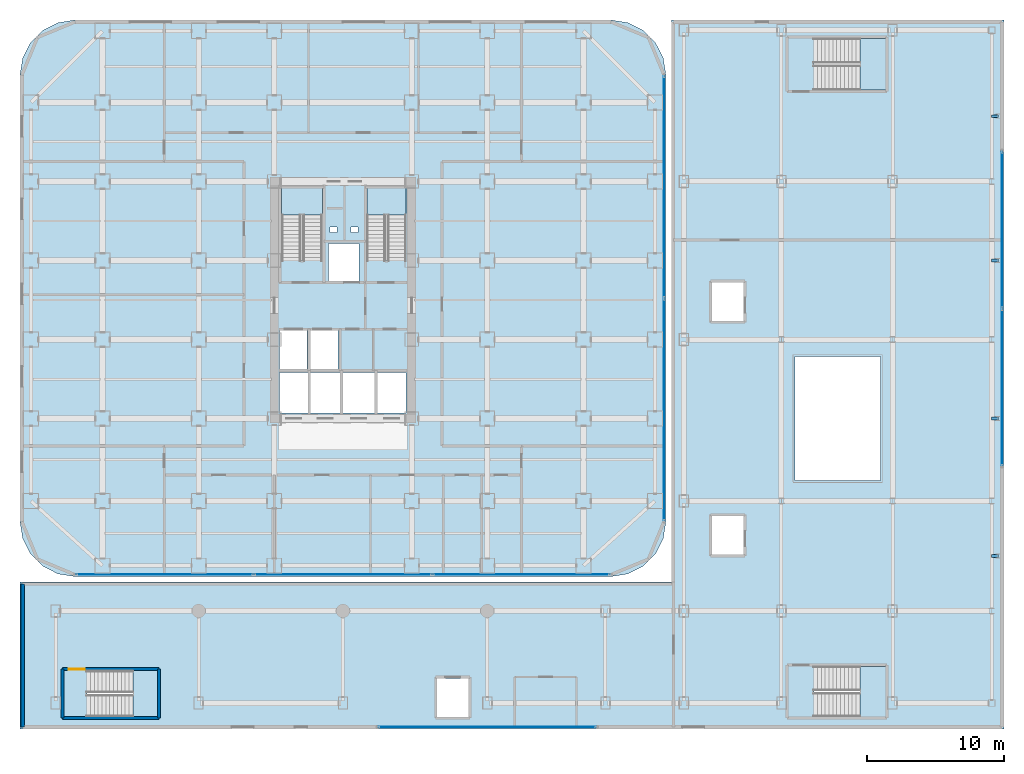
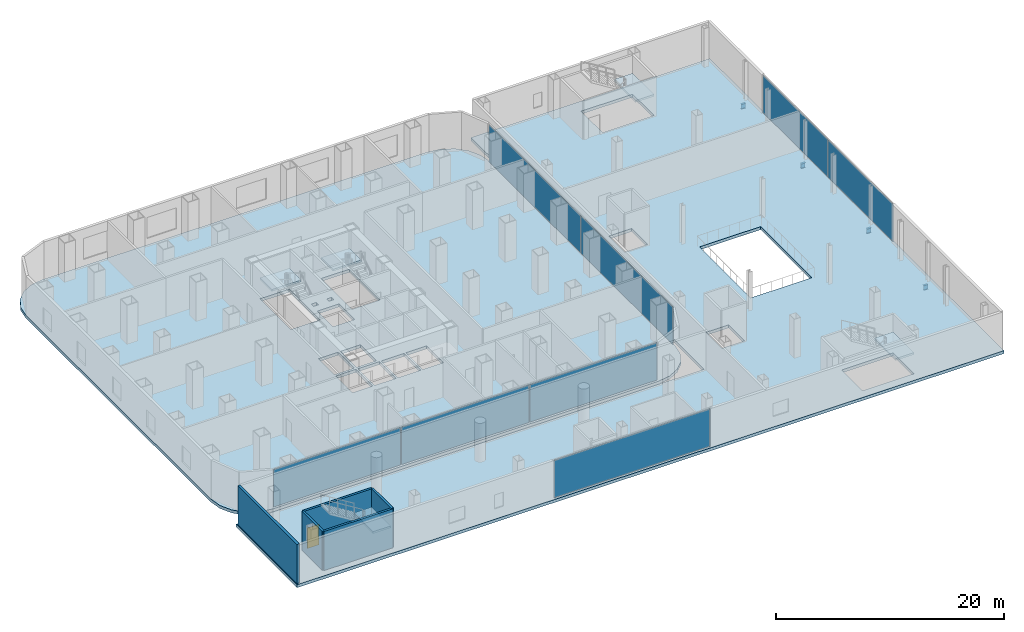
# One storey, part 18 of 27: 8 plates, 7 slabs, 5 walls, 4 beams, 1 door, 1 opening, 9 elements without a shape of their own.
"""IFC4 building model written with IfcOpenShell, lengths in metres."""

from ifc_helpers import new_model, si_unit, direction, frame, frame_2d, origin, origin_2d, place, context, subcontext, project, spatial, polyline, rectangle, i_section, outline, extrude, source, transform, mapped, material, layer, layer_set, material_profile, profile_set, type_object, element, fill, aggregate, save


model = new_model("IFC4")

# Units and contexts
model_context = context("Model", 3, precision=1e-05, world=origin(), true_north=direction((0.0, 1.0)))
body_context = subcontext(model_context, "Body", "Model", "MODEL_VIEW")
ifc_project = project(units=[si_unit("LENGTHUNIT", "METRE"), si_unit("AREAUNIT", "SQUARE_METRE"), si_unit("VOLUMEUNIT", "CUBIC_METRE"), si_unit("PLANEANGLEUNIT", "RADIAN"), si_unit("MASSUNIT", "GRAM", prefix="KILO")], contexts=[model_context])

# Site, building, storey
site_placement = place(None, origin())
site = spatial("IfcSite", under=ifc_project, at=site_placement, CompositionType="ELEMENT")
building_placement = place(site_placement, origin())
building = spatial("IfcBuilding", under=site, at=building_placement, Name="Kolveth Station Tower", CompositionType="ELEMENT")
storey_placement = place(building_placement, frame((0.0, 0.0, 13.5)))
storey = spatial("IfcBuildingStorey", under=building, at=storey_placement, Name="L03", CompositionType="ELEMENT", Elevation=13.5)

# Beams
ifc_material_1 = material(Name="Steel S355", Category="steel")
ifc_material_profile = material_profile(ifc_material_1, i_section(OverallWidth=0.2099609375, OverallDepth=0.537109375, WebThickness=0.010986328125, FlangeThickness=0.017333984375, at=origin_2d()), Name="W530x101")
ifc_profile_set = profile_set([ifc_material_profile], Name="Steel S355")
beam_type = type_object("IfcBeamType", Name="Beam_B6", PredefinedType="BEAM", material=ifc_profile_set)
shared_shape_1 = source(origin(), body_context, "Body", "SweptSolid", [
    extrude(i_section(OverallWidth=0.2099609375, OverallDepth=0.537109375, WebThickness=0.010986328125, FlangeThickness=0.017333984375, at=origin_2d()), origin(), (0.0, 0.0, 1.0), 0.449951171875),
])
for number, where, z_axis, x_axis, name in (
    (1, (70.699951171875, 1.5, -0.58837890625), (1.0, 0.0, 0.0), (0.0, 1.0, 0.0), "L03 Pilaster Tie Beam SBM-L03-SPL-1"),
    (2, (70.699951171875, 11.5, -0.58837890625), (1.0, 0.0, 0.0), (0.0, 1.0, 0.0), "L03 Pilaster Tie Beam SBM-L03-SPL-2"),
    (3, (70.699951171875, 23.0, -0.58837890625), (1.0, 0.0, 0.0), (0.0, 1.0, 0.0), "L03 Pilaster Tie Beam SBM-L03-SPL-3"),
    (4, (70.699951171875, 33.5, -0.58837890625), (1.0, 0.0, 0.0), (0.0, 1.0, 0.0), "L03 Pilaster Tie Beam SBM-L03-SPL-4"),
):
    element("IfcBeam", number, at=place(storey_placement, frame(where, z_axis=z_axis, x_axis=x_axis)), inside=storey, type_object=beam_type, Name=name, PredefinedType="BEAM", context=body_context, shape_type="MappedRepresentation", body=[
        mapped(shared_shape_1, transform((0.0, 0.0, 0.0), x_axis=(1.0, 0.0, 0.0), y_axis=(0.0, 1.0, 0.0), z_axis=(0.0, 0.0, 1.0), scale=1.0)),
    ])

# Slabs
ifc_material_2 = material(Name="Concrete C50/60", Category="concrete")
ifc_layer_1 = layer(ifc_material_2, 0.320068359375)
ifc_layer_set_1 = layer_set([ifc_layer_1], Name="Concrete C50/60")
slab_type_1 = type_object("IfcSlabType", Name="Slab_SF-320", PredefinedType="FLOOR", material=ifc_layer_set_1)
slab_1_placement = place(storey_placement, frame((0.0, 0.0, -0.320068359375)))
element("IfcSlab", 5, at=slab_1_placement, inside=storey, type_object=slab_type_1, Name="L03 Tower Structural Floor Slab", PredefinedType="FLOOR", context=body_context, shape_type="SweptSolid", body=[
    extrude(outline(polyline([(43.0, 0.0), (44.236083984375, 0.19580078125), (45.35107421875, 0.763916015625), (46.236083984375, 1.64892578125), (46.80419921875, 2.763916015625), (47.0, 4.0), (47.0, 36.5), (46.80419921875, 37.736083984375), (46.236083984375, 38.85107421875), (45.35107421875, 39.736083984375), (44.236083984375, 40.30419921875), (43.0, 40.5), (4.0, 40.5), (2.763916015625, 40.30419921875), (1.64892578125, 39.736083984375), (0.763916015625, 38.85107421875), (0.19580078125, 37.736083984375), (0.0, 36.5), (0.0, 4.0), (0.19580078125, 2.763916015625), (0.763916015625, 1.64892578125), (1.64892578125, 0.763916015625), (2.763916015625, 0.19580078125), (4.0, 0.0), (43.0, 0.0)]), holes=[polyline([(19.0400390625, 22.985107421875), (22.0, 22.985107421875), (22.0, 28.39990234375), (19.0400390625, 28.39990234375), (19.0400390625, 22.985107421875)]), polyline([(25.239990234375, 22.985107421875), (28.10009765625, 22.985107421875), (28.10009765625, 28.39990234375), (25.239990234375, 28.39990234375), (25.239990234375, 22.985107421875)]), polyline([(18.89990234375, 15.10009765625), (20.89990234375, 15.10009765625), (20.89990234375, 17.89990234375), (18.89990234375, 17.89990234375), (18.89990234375, 15.10009765625)]), polyline([(21.14990234375, 15.10009765625), (23.14990234375, 15.10009765625), (23.14990234375, 17.89990234375), (21.14990234375, 17.89990234375), (21.14990234375, 15.10009765625)]), polyline([(22.449951171875, 21.5), (24.64990234375, 21.5), (24.64990234375, 24.25), (22.449951171875, 24.25), (22.449951171875, 21.5)]), polyline([(18.89990234375, 11.89990234375), (20.949951171875, 11.89990234375), (20.949951171875, 14.85009765625), (18.89990234375, 14.85009765625), (18.89990234375, 11.89990234375)]), polyline([(21.14990234375, 11.89990234375), (23.300048828125, 11.89990234375), (23.300048828125, 14.85009765625), (21.14990234375, 14.85009765625), (21.14990234375, 11.89990234375)]), polyline([(23.5, 11.89990234375), (25.800048828125, 11.89990234375), (25.800048828125, 14.85009765625), (23.5, 14.85009765625), (23.5, 11.89990234375)]), polyline([(26.0, 11.89990234375), (28.10009765625, 11.89990234375), (28.10009765625, 14.85009765625), (26.0, 14.85009765625), (26.0, 11.89990234375)]), polyline([(22.550048828125, 25.050048828125), (23.050048828125, 25.050048828125), (23.050048828125, 25.449951171875), (22.550048828125, 25.449951171875), (22.550048828125, 25.050048828125)]), polyline([(24.10009765625, 25.050048828125), (24.60009765625, 25.050048828125), (24.60009765625, 25.449951171875), (24.10009765625, 25.449951171875), (24.10009765625, 25.050048828125)])]), origin(), (0.0, 0.0, 1.0), 0.320068359375),
])
slab_2_placement = place(storey_placement, frame((0.0, 0.0, -0.320068359375)))
element("IfcSlab", 6, at=slab_2_placement, inside=storey, type_object=slab_type_1, Name="L03 Intermodal Station Floor Slab", PredefinedType="FLOOR", context=body_context, shape_type="SweptSolid", body=[
    extrude(outline(polyline([(0.0, -11.10009765625), (71.60009765625, -11.10009765625), (71.60009765625, 40.5), (47.39990234375, 40.5), (47.39990234375, -0.39990234375), (0.0, -0.39990234375), (0.0, -11.10009765625)]), holes=[polyline([(57.784912109375, 35.39990234375), (63.0, 35.39990234375), (63.0, 39.159912109375), (57.784912109375, 39.159912109375), (57.784912109375, 35.39990234375)]), polyline([(57.784912109375, -10.199951171875), (63.0, -10.199951171875), (63.0, -6.5400390625), (57.784912109375, -6.5400390625), (57.784912109375, -10.199951171875)]), polyline([(4.885009765625, -10.199951171875), (10.0, -10.199951171875), (10.0, -6.840087890625), (4.885009765625, -6.840087890625), (4.885009765625, -10.199951171875)]), polyline([(50.35009765625, 1.60009765625), (52.64990234375, 1.60009765625), (52.64990234375, 4.39990234375), (50.35009765625, 4.39990234375), (50.35009765625, 1.60009765625)]), polyline([(50.35009765625, 18.60009765625), (52.64990234375, 18.60009765625), (52.64990234375, 21.39990234375), (50.35009765625, 21.39990234375), (50.35009765625, 18.60009765625)]), polyline([(30.35009765625, -10.199951171875), (32.64990234375, -10.199951171875), (32.64990234375, -7.39990234375), (30.35009765625, -7.39990234375), (30.35009765625, -10.199951171875)]), polyline([(56.39990234375, 7.0), (62.60009765625, 7.0), (62.60009765625, 16.0), (56.39990234375, 16.0), (56.39990234375, 7.0)])]), origin(), (0.0, 0.0, 1.0), 0.320068359375),
])

# Stair, slab
ifc_material_3 = material(Name="Concrete C40/50", Category="concrete")
stair_type_1 = type_object("IfcStairType", Name="Stair_ST2", PredefinedType="HALF_TURN_STAIR", material=ifc_material_3)
stair_1_placement = place(storey_placement, origin())
stair_1 = element("IfcStair", 7, at=stair_1_placement, inside=storey, type_object=stair_type_1, Name="L03 Tower Exit Stair ST2", PredefinedType="HALF_TURN_STAIR")
ifc_layer_2 = layer(ifc_material_3, 0.18994140625)
ifc_layer_set_2 = layer_set([ifc_layer_2], Name="Concrete C40/50")
slab_type_2 = type_object("IfcSlabType", Name="Slab_SL-190", PredefinedType="LANDING", material=ifc_layer_set_2)
slab_3_placement = place(storey_placement, frame((0.0, 0.0, 2.050048828125)))
slab_3 = element("IfcSlab", 8, at=slab_3_placement, type_object=slab_type_2, Name="ST2 landing 1", PredefinedType="LANDING", context=body_context, shape_type="SweptSolid", body=[
    extrude(outline(polyline([(28.10009765625, 26.31005859375), (28.10009765625, 28.39990234375), (25.239990234375, 28.39990234375), (25.239990234375, 26.31005859375), (28.10009765625, 26.31005859375)])), origin(), (0.0, 0.0, 1.0), 0.199951171875),
])
aggregate(stair_1, [slab_3])

stair_type_2 = type_object("IfcStairType", Name="Stair_ST5", PredefinedType="HALF_TURN_STAIR", material=ifc_material_3)
stair_2_placement = place(storey_placement, origin())
stair_2 = element("IfcStair", 9, at=stair_2_placement, inside=storey, type_object=stair_type_2, Name="L03 Station West Concourse Stair ST5", PredefinedType="HALF_TURN_STAIR")
slab_4_placement = place(storey_placement, frame((0.0, 0.0, 2.050048828125)))
slab_4 = element("IfcSlab", 10, at=slab_4_placement, type_object=slab_type_2, Name="ST5 landing 1", PredefinedType="LANDING", context=body_context, shape_type="SweptSolid", body=[
    extrude(outline(polyline([(8.2099609375, -10.199951171875), (10.0, -10.199951171875), (10.0, -6.840087890625), (8.2099609375, -6.840087890625), (8.2099609375, -10.199951171875)])), origin(), (0.0, 0.0, 1.0), 0.199951171875),
])
aggregate(stair_2, [slab_4])

stair_type_3 = type_object("IfcStairType", Name="Stair_ST1", PredefinedType="HALF_TURN_STAIR", material=ifc_material_3)
stair_3_placement = place(storey_placement, origin())
stair_3 = element("IfcStair", 11, at=stair_3_placement, inside=storey, type_object=stair_type_3, Name="L03 Tower Exit Stair ST1", PredefinedType="HALF_TURN_STAIR")
ifc_layer_3 = layer(ifc_material_3, 0.205078125)
ifc_layer_set_3 = layer_set([ifc_layer_3], Name="Concrete C40/50")
slab_type_3 = type_object("IfcSlabType", Name="Slab_SL-205", PredefinedType="LANDING", material=ifc_layer_set_3)
slab_5_placement = place(storey_placement, frame((0.0, 0.0, 2.050048828125)))
slab_5 = element("IfcSlab", 12, at=slab_5_placement, type_object=slab_type_3, Name="ST1 landing 1", PredefinedType="LANDING", context=body_context, shape_type="SweptSolid", body=[
    extrude(outline(polyline([(22.0, 26.31005859375), (22.0, 28.39990234375), (19.0400390625, 28.39990234375), (19.0400390625, 26.31005859375), (22.0, 26.31005859375)])), origin(), (0.0, 0.0, 1.0), 0.199951171875),
])
aggregate(stair_3, [slab_5])

stair_type_4 = type_object("IfcStairType", Name="Stair_ST3", PredefinedType="HALF_TURN_STAIR", material=ifc_material_3)
stair_4_placement = place(storey_placement, origin())
stair_4 = element("IfcStair", 13, at=stair_4_placement, inside=storey, type_object=stair_type_4, Name="L03 Station North Exit Stair ST3", PredefinedType="HALF_TURN_STAIR")
slab_6_placement = place(storey_placement, frame((0.0, 0.0, 2.050048828125)))
slab_6 = element("IfcSlab", 14, at=slab_6_placement, type_object=slab_type_3, Name="ST3 landing 1", PredefinedType="LANDING", context=body_context, shape_type="SweptSolid", body=[
    extrude(outline(polyline([(61.110107421875, 35.39990234375), (63.0, 35.39990234375), (63.0, 39.159912109375), (61.110107421875, 39.159912109375), (61.110107421875, 35.39990234375)])), origin(), (0.0, 0.0, 1.0), 0.199951171875),
])
aggregate(stair_4, [slab_6])

stair_type_5 = type_object("IfcStairType", Name="Stair_ST4", PredefinedType="HALF_TURN_STAIR", material=ifc_material_3)
stair_5_placement = place(storey_placement, origin())
stair_5 = element("IfcStair", 15, at=stair_5_placement, inside=storey, type_object=stair_type_5, Name="L03 Station South-East Exit Stair ST4", PredefinedType="HALF_TURN_STAIR")
slab_7_placement = place(storey_placement, frame((0.0, 0.0, 2.050048828125)))
slab_7 = element("IfcSlab", 16, at=slab_7_placement, type_object=slab_type_3, Name="ST4 landing 1", PredefinedType="LANDING", context=body_context, shape_type="SweptSolid", body=[
    extrude(outline(polyline([(61.110107421875, -10.199951171875), (63.0, -10.199951171875), (63.0, -6.5400390625), (61.110107421875, -6.5400390625), (61.110107421875, -10.199951171875)])), origin(), (0.0, 0.0, 1.0), 0.199951171875),
])
aggregate(stair_5, [slab_7])

# Curtain wall, plates
ifc_material_4 = material(Name="Black anodized aluminium 6063-T6 and clear station glass", Category="aluminium")
ifc_layer_4 = layer(ifc_material_4, 0.239990234375)
ifc_layer_set_4 = layer_set([ifc_layer_4], Name="Black anodized aluminium 6063-T6 and clear station glass")
curtain_wall_type = type_object("IfcCurtainWallType", Name="CurtainWall_CW-ST", PredefinedType="NOTDEFINED", material=ifc_layer_set_4)
curtain_wall_1_placement = place(storey_placement, origin())
curtain_wall_1 = element("IfcCurtainWall", 17, at=curtain_wall_1_placement, inside=storey, type_object=curtain_wall_type, Name="L03 Tower Podium South Storefront Curtain Wall", PredefinedType="NOTDEFINED")
ifc_material_5 = material(Name="Architectural low-E dark glass", Category="glass")
ifc_layer_5 = layer(ifc_material_5, 0.031982421875)
ifc_layer_set_5 = layer_set([ifc_layer_5], Name="Architectural low-E dark glass")
plate_type = type_object("IfcPlateType", Name="Panel_GL-ST", PredefinedType="CURTAIN_PANEL", material=ifc_layer_set_5)
shared_shape_2 = source(origin(), body_context, "Body", "SweptSolid", [
    extrude(rectangle(XDim=12.864013671875, YDim=0.031982421875, at=origin_2d()), origin(), (0.0, 0.0, 1.0), 4.00390625),
])
plate_1_placement = place(storey_placement, frame((10.52490234375, 0.139892578125, 0.088134765625), z_axis=(0.0, 0.0, 1.0), x_axis=(1.0, 0.0, 0.0)))
plate_1 = element("IfcPlate", 18, at=plate_1_placement, type_object=plate_type, Name="CW-ST panel 1.1", PredefinedType="CURTAIN_PANEL", context=body_context, shape_type="MappedRepresentation", body=[
    mapped(shared_shape_2, transform((0.0, 0.0, 0.0), x_axis=(1.0, 0.0, 0.0), y_axis=(0.0, 1.0, 0.0), z_axis=(0.0, 0.0, 1.0), scale=1.0)),
])
plate_2_placement = place(storey_placement, frame((36.47509765625, 0.139892578125, 0.088134765625), z_axis=(0.0, 0.0, 1.0), x_axis=(1.0, 0.0, 0.0)))
plate_2 = element("IfcPlate", 19, at=plate_2_placement, type_object=plate_type, Name="CW-ST panel 3.1", PredefinedType="CURTAIN_PANEL", context=body_context, shape_type="MappedRepresentation", body=[
    mapped(shared_shape_2, transform((0.0, 0.0, 0.0), x_axis=(1.0, 0.0, 0.0), y_axis=(0.0, 1.0, 0.0), z_axis=(0.0, 0.0, 1.0), scale=1.0)),
])
shared_shape_3 = source(origin(), body_context, "Body", "SweptSolid", [
    extrude(rectangle(XDim=12.9140625, YDim=0.031982421875, at=origin_2d()), origin(), (0.0, 0.0, 1.0), 4.00390625),
])
plate_3_placement = place(storey_placement, frame((23.5, 0.139892578125, 0.088134765625), z_axis=(0.0, 0.0, 1.0), x_axis=(1.0, 0.0, 0.0)))
plate_3 = element("IfcPlate", 20, at=plate_3_placement, type_object=plate_type, Name="CW-ST panel 2.1", PredefinedType="CURTAIN_PANEL", context=body_context, shape_type="MappedRepresentation", body=[
    mapped(shared_shape_3, transform((0.0, 0.0, 0.0), x_axis=(1.0, 0.0, 0.0), y_axis=(0.0, 1.0, 0.0), z_axis=(0.0, 0.0, 1.0), scale=1.0)),
])
aggregate(curtain_wall_1, [plate_1, plate_3, plate_2])

curtain_wall_2_placement = place(storey_placement, origin())
curtain_wall_2 = element("IfcCurtainWall", 21, at=curtain_wall_2_placement, inside=storey, type_object=curtain_wall_type, Name="L03 Tower Podium East Storefront Curtain Wall", PredefinedType="NOTDEFINED")
shared_shape_4 = source(origin(), body_context, "Body", "SweptSolid", [
    extrude(rectangle(XDim=16.114013671875, YDim=0.031982421875, at=origin_2d()), origin(), (0.0, 0.0, 1.0), 4.00390625),
])
plate_4_placement = place(storey_placement, frame((46.860107421875, 12.14990234375, 0.088134765625), z_axis=(0.0, 0.0, 1.0), x_axis=(0.0, 1.0, 0.0)))
plate_4 = element("IfcPlate", 22, at=plate_4_placement, type_object=plate_type, Name="CW-ST panel 1.1", PredefinedType="CURTAIN_PANEL", context=body_context, shape_type="MappedRepresentation", body=[
    mapped(shared_shape_4, transform((0.0, 0.0, 0.0), x_axis=(1.0, 0.0, 0.0), y_axis=(0.0, 1.0, 0.0), z_axis=(0.0, 0.0, 1.0), scale=1.0)),
])
plate_5_placement = place(storey_placement, frame((46.860107421875, 28.35009765625, 0.088134765625), z_axis=(0.0, 0.0, 1.0), x_axis=(0.0, 1.0, 0.0)))
plate_5 = element("IfcPlate", 23, at=plate_5_placement, type_object=plate_type, Name="CW-ST panel 2.1", PredefinedType="CURTAIN_PANEL", context=body_context, shape_type="MappedRepresentation", body=[
    mapped(shared_shape_4, transform((0.0, 0.0, 0.0), x_axis=(1.0, 0.0, 0.0), y_axis=(0.0, 1.0, 0.0), z_axis=(0.0, 0.0, 1.0), scale=1.0)),
])
aggregate(curtain_wall_2, [plate_4, plate_5])

# Curtain wall, plate
curtain_wall_3_placement = place(storey_placement, origin())
curtain_wall_3 = element("IfcCurtainWall", 24, at=curtain_wall_3_placement, inside=storey, type_object=curtain_wall_type, Name="L03 Station South Concourse Curtain Wall", PredefinedType="NOTDEFINED")
shared_shape_5 = source(origin(), body_context, "Body", "SweptSolid", [
    extrude(rectangle(XDim=15.81396484375, YDim=0.031982421875, at=origin_2d()), origin(), (0.0, 0.0, 1.0), 4.00390625),
])
plate_6_placement = place(storey_placement, frame((34.0, -10.949951171875, 0.088134765625), z_axis=(0.0, 0.0, 1.0), x_axis=(1.0, 0.0, 0.0)))
plate_6 = element("IfcPlate", 25, at=plate_6_placement, type_object=plate_type, Name="CW-ST panel 1.1", PredefinedType="CURTAIN_PANEL", context=body_context, shape_type="MappedRepresentation", body=[
    mapped(shared_shape_5, transform((0.0, 0.0, 0.0), x_axis=(1.0, 0.0, 0.0), y_axis=(0.0, 1.0, 0.0), z_axis=(0.0, 0.0, 1.0), scale=1.0)),
])
aggregate(curtain_wall_3, [plate_6])

# Curtain wall, plates
curtain_wall_4_placement = place(storey_placement, origin())
curtain_wall_4 = element("IfcCurtainWall", 26, at=curtain_wall_4_placement, inside=storey, type_object=curtain_wall_type, Name="L03 Station East Main Hall Curtain Wall", PredefinedType="NOTDEFINED")
shared_shape_6 = source(origin(), body_context, "Body", "SweptSolid", [
    extrude(rectangle(XDim=11.364013671875, YDim=0.031982421875, at=origin_2d()), origin(), (0.0, 0.0, 1.0), 4.00390625),
])
plate_7_placement = place(storey_placement, frame((71.449951171875, 13.77490234375, 0.088134765625), z_axis=(0.0, 0.0, 1.0), x_axis=(0.0, 1.0, 0.0)))
plate_7 = element("IfcPlate", 27, at=plate_7_placement, type_object=plate_type, Name="CW-ST panel 1.1", PredefinedType="CURTAIN_PANEL", context=body_context, shape_type="MappedRepresentation", body=[
    mapped(shared_shape_6, transform((0.0, 0.0, 0.0), x_axis=(1.0, 0.0, 0.0), y_axis=(0.0, 1.0, 0.0), z_axis=(0.0, 0.0, 1.0), scale=1.0)),
])
plate_8_placement = place(storey_placement, frame((71.449951171875, 25.22509765625, 0.088134765625), z_axis=(0.0, 0.0, 1.0), x_axis=(0.0, 1.0, 0.0)))
plate_8 = element("IfcPlate", 28, at=plate_8_placement, type_object=plate_type, Name="CW-ST panel 2.1", PredefinedType="CURTAIN_PANEL", context=body_context, shape_type="MappedRepresentation", body=[
    mapped(shared_shape_6, transform((0.0, 0.0, 0.0), x_axis=(1.0, 0.0, 0.0), y_axis=(0.0, 1.0, 0.0), z_axis=(0.0, 0.0, 1.0), scale=1.0)),
])
aggregate(curtain_wall_4, [plate_7, plate_8])

# Walls
ifc_material_6 = material(Name="Precast concrete C40/50", Category="concrete")
ifc_layer_6 = layer(ifc_material_6, 0.239990234375)
ifc_layer_set_6 = layer_set([ifc_layer_6], Name="Precast concrete C40/50")
wall_type_1 = type_object("IfcWallType", Name="Wall_EW-240", PredefinedType="SOLIDWALL", material=ifc_layer_set_6)
wall_1_placement = place(storey_placement, frame((0.199951171875, -10.949951171875, 0.0), z_axis=(0.0, 0.0, 1.0), x_axis=(0.0, 1.0, 0.0)))
element("IfcWall", 29, at=wall_1_placement, inside=storey, type_object=wall_type_1, Name="L03 Station Exterior Wall W1", PredefinedType="SOLIDWALL", context=body_context, shape_type="SweptSolid", body=[
    extrude(rectangle(XDim=10.409912109375, YDim=0.239990234375, at=frame_2d((5.205078125, 0.0))), origin(), (0.0, 0.0, 1.0), 4.179931640625),
])
ifc_layer_7 = layer(ifc_material_3, 0.219970703125)
ifc_layer_set_7 = layer_set([ifc_layer_7], Name="Concrete C40/50")
wall_type_2 = type_object("IfcWallType", Name="Wall_IW-220", PredefinedType="SOLIDWALL", material=ifc_layer_set_7)
wall_2_placement = place(storey_placement, frame((3.10009765625, -10.300048828125, 0.0), z_axis=(0.0, 0.0, 1.0), x_axis=(1.0, 0.0, 0.0)))
element("IfcWall", 30, at=wall_2_placement, inside=storey, type_object=wall_type_2, Name="L03 Stair Shaft Wall WL-L03-ST5-S", PredefinedType="SOLIDWALL", context=body_context, shape_type="SweptSolid", body=[
    extrude(rectangle(XDim=7.0, YDim=0.219970703125, at=frame_2d((3.5, 0.0))), origin(), (0.0, 0.0, 1.0), 4.179931640625),
])

# Wall, opening, door
wall_3_placement = place(storey_placement, frame((3.10009765625, -6.739990234375, 0.0), z_axis=(0.0, 0.0, 1.0), x_axis=(1.0, 0.0, 0.0)))
wall_3 = element("IfcWall", 31, at=wall_3_placement, inside=storey, type_object=wall_type_2, Name="L03 Stair Shaft Wall WL-L03-ST5-N", PredefinedType="SOLIDWALL", context=body_context, shape_type="SweptSolid", body=[
    extrude(rectangle(XDim=7.0, YDim=0.219970703125, at=frame_2d((3.5, 0.0))), origin(), (0.0, 0.0, 1.0), 4.179931640625),
])
opening_placement = place(wall_3_placement, frame((0.449951171875, 0.0, 0.0)))
opening = element("IfcOpeningElement", 32, at=opening_placement, cuts=wall_3, Name="Opening FD1", PredefinedType="OPENING", context=body_context, shape_type="SweptSolid", body=[
    extrude(rectangle(XDim=1.14990234375, YDim=2.199951171875, at=frame_2d((0.574951171875, 1.10009765625))), frame((0.0, 0.119873046875, 0.0), z_axis=(0.0, -1.0, 0.0), x_axis=(1.0, 0.0, 0.0)), (0.0, 0.0, 1.0), 0.239990234375),
])
ifc_material_7 = material(Name="Fire-rated Steel S355 leaf and frame", Category="steel")
door_type = type_object("IfcDoorType", Name="Door_FD1", OperationType="NOTDEFINED", PredefinedType="DOOR", material=ifc_material_7)
door_placement = place(opening_placement, origin())
door = element("IfcDoor", 33, at=door_placement, inside=storey, type_object=door_type, Name="L03 Station Stair ST5 Door", OperationType="SINGLE_SWING_LEFT", OverallHeight=2.199951171875, OverallWidth=1.14990234375, PredefinedType="DOOR", context=body_context, shape_type="SweptSolid", body=[
    extrude(rectangle(XDim=1.14990234375, YDim=2.199951171875, at=frame_2d((0.574951171875, 1.10009765625))), frame((0.0, 0.02490234375, 0.0), z_axis=(0.0, -1.0, 0.0), x_axis=(1.0, 0.0, 0.0)), (0.0, 0.0, 1.0), 0.050048828125),
])
fill(opening, door)

# Walls
for number, where, z_axis, x_axis, name in (
    (34, (3.10009765625, -10.300048828125, 0.0), (0.0, 0.0, 1.0), (0.0, 1.0, 0.0), "L03 Stair Shaft Wall WL-L03-ST5-W"),
    (35, (10.10009765625, -10.300048828125, 0.0), (0.0, 0.0, 1.0), (0.0, 1.0, 0.0), "L03 Stair Shaft Wall WL-L03-ST5-E"),
):
    element("IfcWall", number, at=place(storey_placement, frame(where, z_axis=z_axis, x_axis=x_axis)), inside=storey, type_object=wall_type_2, Name=name, PredefinedType="SOLIDWALL", context=body_context, shape_type="SweptSolid", body=[
        extrude(rectangle(XDim=3.56005859375, YDim=0.219970703125, at=frame_2d((1.780029296875, 0.0))), origin(), (0.0, 0.0, 1.0), 4.179931640625),
    ])

save(model, "model.ifc")
